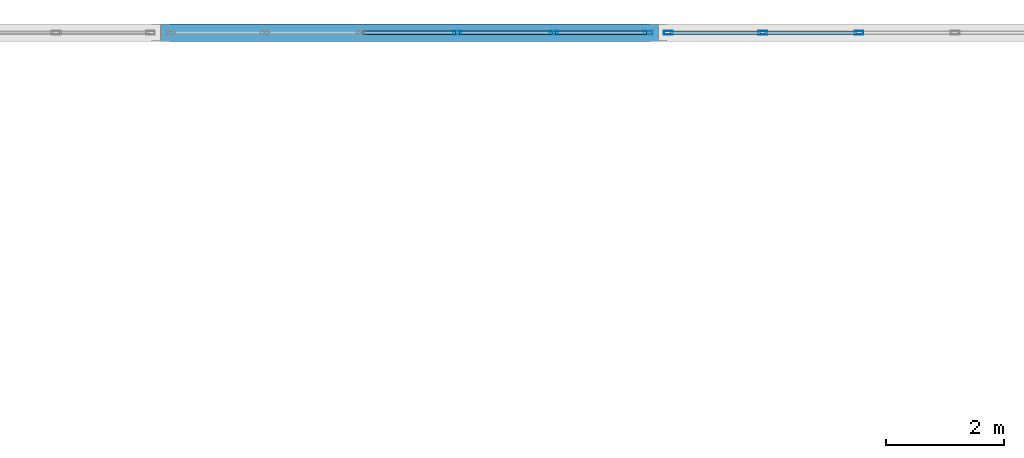
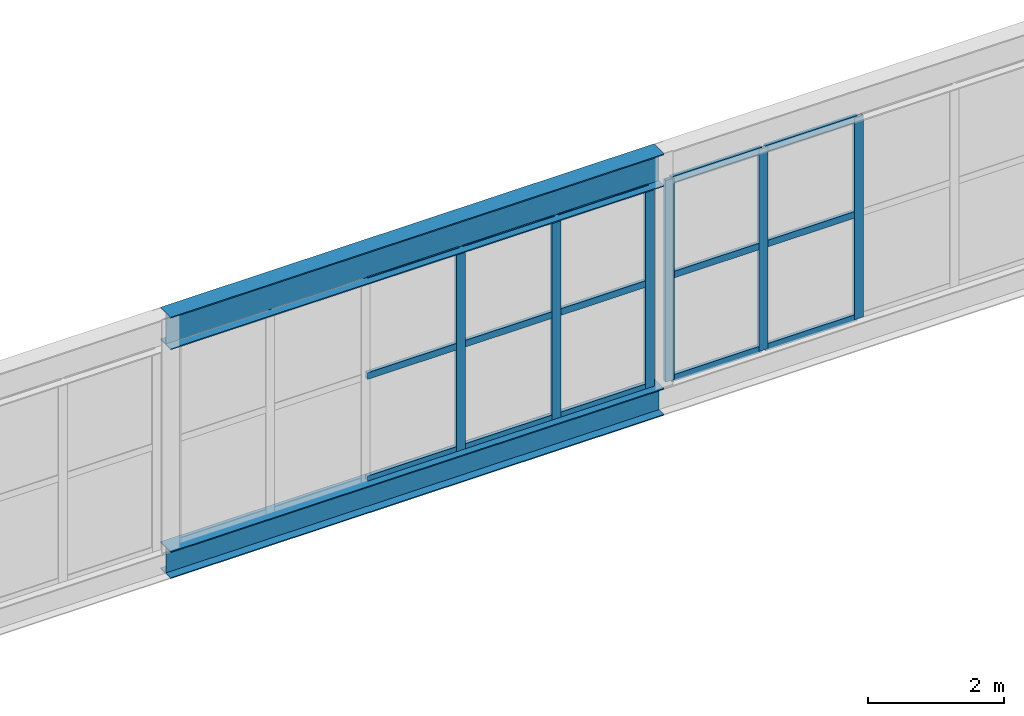
# One storey, part 174 of 218: 21 members, 2 beams, 2 elements without a shape of their own.
"""IFC4 building model written with IfcOpenShell, lengths in metres."""

from ifc_helpers import new_model, si_unit, direction, frame, origin, origin_2d, place, context, subcontext, project, spatial, hollow_rectangle, i_section, extrude, material, material_profile, profile_set, type_object, element, aggregate, save


model = new_model("IFC4")

# Units and contexts
model_context = context("Model", 3, precision=1e-05, world=origin(), true_north=direction((0.0, 1.0)))
body_context = subcontext(model_context, "Body", "Model", "MODEL_VIEW")
ifc_project = project(units=[si_unit("LENGTHUNIT", "METRE"), si_unit("AREAUNIT", "SQUARE_METRE"), si_unit("VOLUMEUNIT", "CUBIC_METRE"), si_unit("PLANEANGLEUNIT", "RADIAN"), si_unit("MASSUNIT", "GRAM", prefix="KILO")], contexts=[model_context])

# Site, building, storey
site_placement = place(None, origin())
site = spatial("IfcSite", under=ifc_project, at=site_placement, CompositionType="ELEMENT")
building_placement = place(site_placement, origin())
building = spatial("IfcBuilding", under=site, at=building_placement, Name="Kazenagashi Tramway Depot", CompositionType="ELEMENT")
storey_placement = place(building_placement, frame((0.0, 0.0, 6.0)))
storey = spatial("IfcBuildingStorey", under=building, at=storey_placement, Name="L02", CompositionType="ELEMENT", Elevation=6.0)

# Curtain wall, members
ifc_material_1 = material(Name="Anodised Aluminium and Low-E Glazing", Category="aluminium")
curtain_wall_type = type_object("IfcCurtainWallType", Name="CW-15", PredefinedType="USERDEFINED", material=ifc_material_1)
curtain_wall_1_placement = place(storey_placement, origin())
curtain_wall_1 = element("IfcCurtainWall", 1, at=curtain_wall_1_placement, inside=storey, type_object=curtain_wall_type, Name="Industrial Glazed Screen CW-15 CW-0090", ObjectType="GLAZED SCREEN", PredefinedType="USERDEFINED")
ifc_material_2 = material(Name="Anodised Aluminium", Category="aluminium")
ifc_material_profile_1 = material_profile(ifc_material_2, hollow_rectangle(XDim=0.06, YDim=0.15, WallThickness=0.004, at=origin_2d()), Name="RHS-150x60x4")
ifc_profile_set_1 = profile_set([ifc_material_profile_1], Name="Anodised Aluminium")
member_type_1 = type_object("IfcMemberType", Name="ML-01", PredefinedType="MULLION", material=ifc_profile_set_1)
member_1_placement = place(storey_placement, frame((167.412, 130.0, -0.02), z_axis=(0.0, 0.0, 1.0), x_axis=(0.0, 1.0, 0.0)))
member_1 = element("IfcMember", 2, at=member_1_placement, type_object=member_type_1, Name="CW-15 mullion 4", PredefinedType="MULLION", context=body_context, shape_type="SweptSolid", body=[
    extrude(hollow_rectangle(XDim=0.06, YDim=0.15, WallThickness=0.004, at=origin_2d()), origin(), (0.0, 0.0, 1.0), 3.632),
])
member_2_placement = place(storey_placement, frame((169.036, 130.0, -0.02), z_axis=(0.0, 0.0, 1.0), x_axis=(0.0, 1.0, 0.0)))
member_2 = element("IfcMember", 3, at=member_2_placement, type_object=member_type_1, Name="CW-15 mullion 5", PredefinedType="MULLION", context=body_context, shape_type="SweptSolid", body=[
    extrude(hollow_rectangle(XDim=0.06, YDim=0.15, WallThickness=0.004, at=origin_2d()), origin(), (0.0, 0.0, 1.0), 3.632),
])
member_3_placement = place(storey_placement, frame((170.63, 130.0, -0.02), z_axis=(0.0, 0.0, 1.0), x_axis=(0.0, 1.0, 0.0)))
member_3 = element("IfcMember", 4, at=member_3_placement, type_object=member_type_1, Name="CW-15 mullion 6", PredefinedType="MULLION", context=body_context, shape_type="SweptSolid", body=[
    extrude(hollow_rectangle(XDim=0.06, YDim=0.15, WallThickness=0.004, at=origin_2d()), origin(), (0.0, 0.0, 1.0), 3.632),
])

curtain_wall_2_placement = place(storey_placement, origin())
curtain_wall_2 = element("IfcCurtainWall", 5, at=curtain_wall_2_placement, inside=storey, type_object=curtain_wall_type, Name="Industrial Glazed Screen CW-15 CW-0093", ObjectType="GLAZED SCREEN", PredefinedType="USERDEFINED")
member_4_placement = place(storey_placement, frame((170.97, 130.0, -0.02), z_axis=(0.0, 0.0, 1.0), x_axis=(0.0, 1.0, 0.0)))
member_4 = element("IfcMember", 6, at=member_4_placement, type_object=member_type_1, Name="CW-15 mullion 1", PredefinedType="MULLION", context=body_context, shape_type="SweptSolid", body=[
    extrude(hollow_rectangle(XDim=0.06, YDim=0.15, WallThickness=0.004, at=origin_2d()), origin(), (0.0, 0.0, 1.0), 3.632),
])
member_5_placement = place(storey_placement, frame((172.564, 130.0, -0.02), z_axis=(0.0, 0.0, 1.0), x_axis=(0.0, 1.0, 0.0)))
member_5 = element("IfcMember", 7, at=member_5_placement, type_object=member_type_1, Name="CW-15 mullion 2", PredefinedType="MULLION", context=body_context, shape_type="SweptSolid", body=[
    extrude(hollow_rectangle(XDim=0.06, YDim=0.15, WallThickness=0.004, at=origin_2d()), origin(), (0.0, 0.0, 1.0), 3.632),
])
member_6_placement = place(storey_placement, frame((174.188, 130.0, -0.02), z_axis=(0.0, 0.0, 1.0), x_axis=(0.0, 1.0, 0.0)))
member_6 = element("IfcMember", 8, at=member_6_placement, type_object=member_type_1, Name="CW-15 mullion 3", PredefinedType="MULLION", context=body_context, shape_type="SweptSolid", body=[
    extrude(hollow_rectangle(XDim=0.06, YDim=0.15, WallThickness=0.004, at=origin_2d()), origin(), (0.0, 0.0, 1.0), 3.632),
])

# Beams
ifc_material_3 = material(Name="Steel SN490B", Category="steel")
ifc_material_profile_2 = material_profile(ifc_material_3, i_section(OverallWidth=0.3, OverallDepth=0.588, WebThickness=0.012, FlangeThickness=0.02, at=origin_2d()), Name="H-588x300x12x20")
ifc_profile_set_2 = profile_set([ifc_material_profile_2], Name="Steel SN490B")
beam_type_1 = type_object("IfcBeamType", Name="SP-01", PredefinedType="SPANDREL", material=ifc_profile_set_2)
beam_1_placement = place(storey_placement, frame((162.4, 130.0, 3.906), z_axis=(1.0, 0.0, 0.0), x_axis=(0.0, 1.0, 0.0)))
element("IfcBeam", 9, at=beam_1_placement, inside=storey, type_object=beam_type_1, Name="Beam SP-01 BM-1894", PredefinedType="SPANDREL", context=body_context, shape_type="SweptSolid", body=[
    extrude(i_section(OverallWidth=0.3, OverallDepth=0.588, WebThickness=0.012, FlangeThickness=0.02, at=origin_2d()), origin(), (0.0, 0.0, 1.0), 8.4),
])
ifc_material_profile_3 = material_profile(ifc_material_3, i_section(OverallWidth=0.3, OverallDepth=0.488, WebThickness=0.011, FlangeThickness=0.018, at=origin_2d()), Name="H-488x300x11x18")
ifc_profile_set_3 = profile_set([ifc_material_profile_3], Name="Steel SN490B")
beam_type_2 = type_object("IfcBeamType", Name="SP-02", PredefinedType="SPANDREL", material=ifc_profile_set_3)
beam_2_placement = place(storey_placement, frame((162.4, 130.0, -0.264), z_axis=(1.0, 0.0, 0.0), x_axis=(0.0, 1.0, 0.0)))
element("IfcBeam", 10, at=beam_2_placement, inside=storey, type_object=beam_type_2, Name="Beam SP-02 BM-1838", PredefinedType="SPANDREL", context=body_context, shape_type="SweptSolid", body=[
    extrude(i_section(OverallWidth=0.3, OverallDepth=0.488, WebThickness=0.011, FlangeThickness=0.018, at=origin_2d()), origin(), (0.0, 0.0, 1.0), 8.4),
])

# Member
ifc_material_profile_4 = material_profile(ifc_material_2, hollow_rectangle(XDim=0.06, YDim=0.12, WallThickness=0.004, at=origin_2d()), Name="RHS-120x60x4")
ifc_profile_set_4 = profile_set([ifc_material_profile_4], Name="Anodised Aluminium")
member_type_2 = type_object("IfcMemberType", Name="TR-01", PredefinedType="USERDEFINED", material=ifc_profile_set_4)
member_7_placement = place(storey_placement, frame((165.818, 130.0, 0.01), z_axis=(1.0, 0.0, 0.0), x_axis=(0.0, 1.0, 0.0)))
member_7 = element("IfcMember", 11, at=member_7_placement, type_object=member_type_2, Name="CW-15 transom 3.1", ObjectType="TRANSOM", PredefinedType="USERDEFINED", context=body_context, shape_type="SweptSolid", body=[
    extrude(hollow_rectangle(XDim=0.06, YDim=0.12, WallThickness=0.004, at=origin_2d()), origin(), (0.0, 0.0, 1.0), 1.564),
])

member_8_placement = place(storey_placement, frame((165.818, 130.0, 1.869), z_axis=(1.0, 0.0, 0.0), x_axis=(0.0, 1.0, 0.0)))
member_8 = element("IfcMember", 12, at=member_8_placement, type_object=member_type_2, Name="CW-15 transom 3.2", ObjectType="TRANSOM", PredefinedType="USERDEFINED", context=body_context, shape_type="SweptSolid", body=[
    extrude(hollow_rectangle(XDim=0.06, YDim=0.12, WallThickness=0.004, at=origin_2d()), origin(), (0.0, 0.0, 1.0), 1.564),
])

member_9_placement = place(storey_placement, frame((165.818, 130.0, 3.582), z_axis=(1.0, 0.0, 0.0), x_axis=(0.0, 1.0, 0.0)))
member_9 = element("IfcMember", 13, at=member_9_placement, type_object=member_type_2, Name="CW-15 transom 3.3", ObjectType="TRANSOM", PredefinedType="USERDEFINED", context=body_context, shape_type="SweptSolid", body=[
    extrude(hollow_rectangle(XDim=0.06, YDim=0.12, WallThickness=0.004, at=origin_2d()), origin(), (0.0, 0.0, 1.0), 1.564),
])

member_10_placement = place(storey_placement, frame((167.442, 130.0, 0.01), z_axis=(1.0, 0.0, 0.0), x_axis=(0.0, 1.0, 0.0)))
member_10 = element("IfcMember", 14, at=member_10_placement, type_object=member_type_2, Name="CW-15 transom 4.1", ObjectType="TRANSOM", PredefinedType="USERDEFINED", context=body_context, shape_type="SweptSolid", body=[
    extrude(hollow_rectangle(XDim=0.06, YDim=0.12, WallThickness=0.004, at=origin_2d()), origin(), (0.0, 0.0, 1.0), 1.564),
])

member_11_placement = place(storey_placement, frame((167.442, 130.0, 1.869), z_axis=(1.0, 0.0, 0.0), x_axis=(0.0, 1.0, 0.0)))
member_11 = element("IfcMember", 15, at=member_11_placement, type_object=member_type_2, Name="CW-15 transom 4.2", ObjectType="TRANSOM", PredefinedType="USERDEFINED", context=body_context, shape_type="SweptSolid", body=[
    extrude(hollow_rectangle(XDim=0.06, YDim=0.12, WallThickness=0.004, at=origin_2d()), origin(), (0.0, 0.0, 1.0), 1.564),
])

member_12_placement = place(storey_placement, frame((167.442, 130.0, 3.582), z_axis=(1.0, 0.0, 0.0), x_axis=(0.0, 1.0, 0.0)))
member_12 = element("IfcMember", 16, at=member_12_placement, type_object=member_type_2, Name="CW-15 transom 4.3", ObjectType="TRANSOM", PredefinedType="USERDEFINED", context=body_context, shape_type="SweptSolid", body=[
    extrude(hollow_rectangle(XDim=0.06, YDim=0.12, WallThickness=0.004, at=origin_2d()), origin(), (0.0, 0.0, 1.0), 1.564),
])

member_13_placement = place(storey_placement, frame((169.066, 130.0, 0.01), z_axis=(1.0, 0.0, 0.0), x_axis=(0.0, 1.0, 0.0)))
member_13 = element("IfcMember", 17, at=member_13_placement, type_object=member_type_2, Name="CW-15 transom 5.1", ObjectType="TRANSOM", PredefinedType="USERDEFINED", context=body_context, shape_type="SweptSolid", body=[
    extrude(hollow_rectangle(XDim=0.06, YDim=0.12, WallThickness=0.004, at=origin_2d()), origin(), (0.0, 0.0, 1.0), 1.534),
])

member_14_placement = place(storey_placement, frame((169.066, 130.0, 1.869), z_axis=(1.0, 0.0, 0.0), x_axis=(0.0, 1.0, 0.0)))
member_14 = element("IfcMember", 18, at=member_14_placement, type_object=member_type_2, Name="CW-15 transom 5.2", ObjectType="TRANSOM", PredefinedType="USERDEFINED", context=body_context, shape_type="SweptSolid", body=[
    extrude(hollow_rectangle(XDim=0.06, YDim=0.12, WallThickness=0.004, at=origin_2d()), origin(), (0.0, 0.0, 1.0), 1.534),
])

member_15_placement = place(storey_placement, frame((169.066, 130.0, 3.582), z_axis=(1.0, 0.0, 0.0), x_axis=(0.0, 1.0, 0.0)))
member_15 = element("IfcMember", 19, at=member_15_placement, type_object=member_type_2, Name="CW-15 transom 5.3", ObjectType="TRANSOM", PredefinedType="USERDEFINED", context=body_context, shape_type="SweptSolid", body=[
    extrude(hollow_rectangle(XDim=0.06, YDim=0.12, WallThickness=0.004, at=origin_2d()), origin(), (0.0, 0.0, 1.0), 1.534),
])

aggregate(curtain_wall_1, [member_1, member_2, member_3, member_7, member_8, member_9, member_10, member_11, member_12, member_13, member_14, member_15])

member_16_placement = place(storey_placement, frame((171.0, 130.0, 0.01), z_axis=(1.0, 0.0, 0.0), x_axis=(0.0, 1.0, 0.0)))
member_16 = element("IfcMember", 20, at=member_16_placement, type_object=member_type_2, Name="CW-15 transom 1.1", ObjectType="TRANSOM", PredefinedType="USERDEFINED", context=body_context, shape_type="SweptSolid", body=[
    extrude(hollow_rectangle(XDim=0.06, YDim=0.12, WallThickness=0.004, at=origin_2d()), origin(), (0.0, 0.0, 1.0), 1.534),
])

member_17_placement = place(storey_placement, frame((171.0, 130.0, 1.869), z_axis=(1.0, 0.0, 0.0), x_axis=(0.0, 1.0, 0.0)))
member_17 = element("IfcMember", 21, at=member_17_placement, type_object=member_type_2, Name="CW-15 transom 1.2", ObjectType="TRANSOM", PredefinedType="USERDEFINED", context=body_context, shape_type="SweptSolid", body=[
    extrude(hollow_rectangle(XDim=0.06, YDim=0.12, WallThickness=0.004, at=origin_2d()), origin(), (0.0, 0.0, 1.0), 1.534),
])

member_18_placement = place(storey_placement, frame((171.0, 130.0, 3.582), z_axis=(1.0, 0.0, 0.0), x_axis=(0.0, 1.0, 0.0)))
member_18 = element("IfcMember", 22, at=member_18_placement, type_object=member_type_2, Name="CW-15 transom 1.3", ObjectType="TRANSOM", PredefinedType="USERDEFINED", context=body_context, shape_type="SweptSolid", body=[
    extrude(hollow_rectangle(XDim=0.06, YDim=0.12, WallThickness=0.004, at=origin_2d()), origin(), (0.0, 0.0, 1.0), 1.534),
])

member_19_placement = place(storey_placement, frame((172.594, 130.0, 0.01), z_axis=(1.0, 0.0, 0.0), x_axis=(0.0, 1.0, 0.0)))
member_19 = element("IfcMember", 23, at=member_19_placement, type_object=member_type_2, Name="CW-15 transom 2.1", ObjectType="TRANSOM", PredefinedType="USERDEFINED", context=body_context, shape_type="SweptSolid", body=[
    extrude(hollow_rectangle(XDim=0.06, YDim=0.12, WallThickness=0.004, at=origin_2d()), origin(), (0.0, 0.0, 1.0), 1.564),
])

member_20_placement = place(storey_placement, frame((172.594, 130.0, 1.869), z_axis=(1.0, 0.0, 0.0), x_axis=(0.0, 1.0, 0.0)))
member_20 = element("IfcMember", 24, at=member_20_placement, type_object=member_type_2, Name="CW-15 transom 2.2", ObjectType="TRANSOM", PredefinedType="USERDEFINED", context=body_context, shape_type="SweptSolid", body=[
    extrude(hollow_rectangle(XDim=0.06, YDim=0.12, WallThickness=0.004, at=origin_2d()), origin(), (0.0, 0.0, 1.0), 1.564),
])

member_21_placement = place(storey_placement, frame((172.594, 130.0, 3.582), z_axis=(1.0, 0.0, 0.0), x_axis=(0.0, 1.0, 0.0)))
member_21 = element("IfcMember", 25, at=member_21_placement, type_object=member_type_2, Name="CW-15 transom 2.3", ObjectType="TRANSOM", PredefinedType="USERDEFINED", context=body_context, shape_type="SweptSolid", body=[
    extrude(hollow_rectangle(XDim=0.06, YDim=0.12, WallThickness=0.004, at=origin_2d()), origin(), (0.0, 0.0, 1.0), 1.564),
])

aggregate(curtain_wall_2, [member_4, member_5, member_6, member_16, member_17, member_18, member_19, member_20, member_21])

save(model, "model.ifc")
